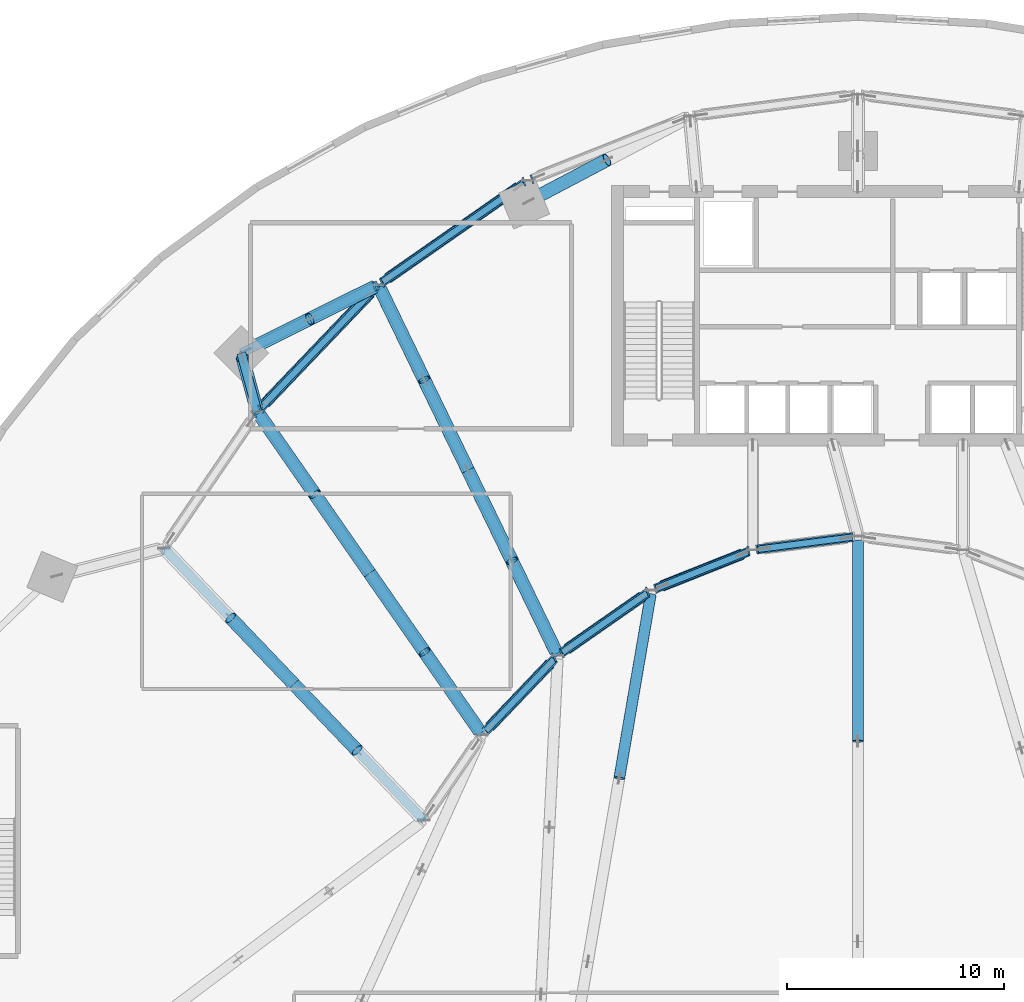
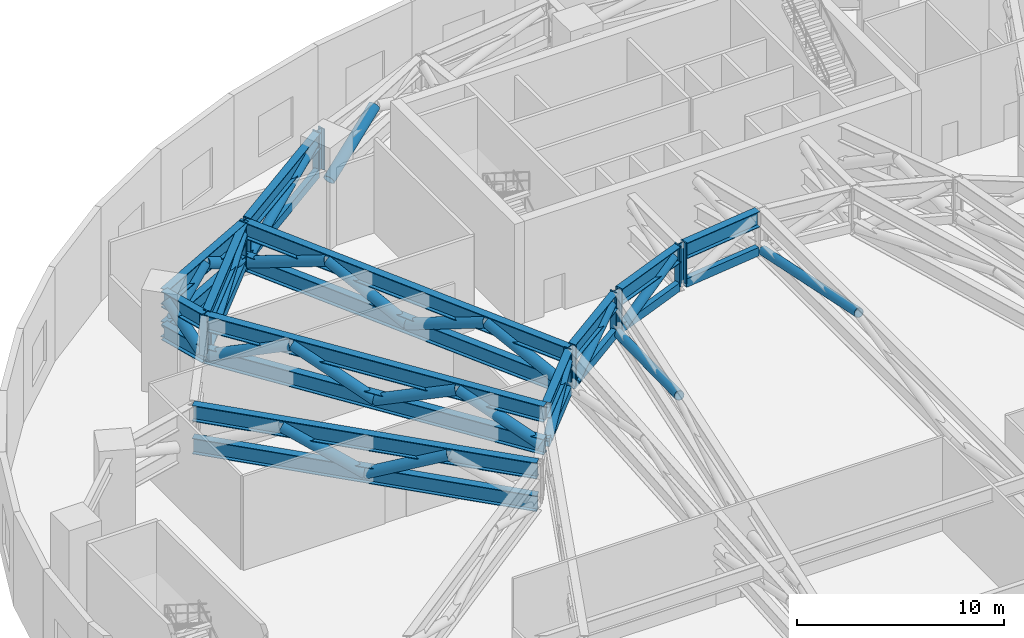
# One storey, part 3 of 19: 33 members, 16 beams.
"""IFC4 building model written with IfcOpenShell, lengths in metres."""

from ifc_helpers import new_model, si_unit, direction, frame, origin, origin_2d, place, context, subcontext, project, spatial, hollow_rectangle, hollow_circle, i_section, extrude, source, transform, mapped, material, material_profile, profile_set, type_object, type_shapes, element, save


model = new_model("IFC4")

# Units and contexts
model_context = context("Model", 3, precision=1e-05, world=origin(), true_north=direction((0.0, 1.0)))
body_context = subcontext(model_context, "Body", "Model", "MODEL_VIEW")
ifc_project = project(units=[si_unit("LENGTHUNIT", "METRE"), si_unit("AREAUNIT", "SQUARE_METRE"), si_unit("VOLUMEUNIT", "CUBIC_METRE"), si_unit("PLANEANGLEUNIT", "RADIAN"), si_unit("MASSUNIT", "GRAM", prefix="KILO")], contexts=[model_context])

# Site, building, storey
site_placement = place(None, origin())
site = spatial("IfcSite", under=ifc_project, at=site_placement, CompositionType="ELEMENT")
building_placement = place(site_placement, origin())
building = spatial("IfcBuilding", under=site, at=building_placement, Name="Breltana Convention Tower", CompositionType="ELEMENT")
storey_placement = place(building_placement, frame((0.0, 0.0, 24.0)))
storey = spatial("IfcBuildingStorey", under=building, at=storey_placement, Name="L04", CompositionType="ELEMENT", Elevation=24.0)

# Members
ifc_material_1 = material(Name="Steel ASTM A992 Grade 50", Category="steel")
ifc_material_profile_1 = material_profile(ifc_material_1, i_section(OverallWidth=0.4208984375, OverallDepth=0.465087890625, WebThickness=0.044921875, FlangeThickness=0.072265625, at=origin_2d()), Name="W14X398")
ifc_profile_set_1 = profile_set([ifc_material_profile_1], Name="Steel ASTM A992 Grade 50")
member_type_1 = type_object("IfcMemberType", Name="MB-TR-POST-W14X398", PredefinedType="POST", material=ifc_profile_set_1)
shared_shape_1 = source(origin(), body_context, "Body", "SweptSolid", [
    extrude(i_section(OverallWidth=0.4208984375, OverallDepth=0.465087890625, WebThickness=0.044921875, FlangeThickness=0.072265625, at=origin_2d()), origin(), (0.0, 0.0, 1.0), 2.406494140625),
])
type_shapes(member_type_1, [shared_shape_1])
for number, where, z_axis, x_axis, name in (
    (1, (20.310791015625, 61.78857421875, 3.1435546875), (0.0, 0.0, 1.0), (-0.571143442153, 0.820850271661, 0.0), "L04 Transfer Truss Vertical R02-OUT"),
    (2, (34.166259765625, 50.544921875, 3.1435546875), (0.0, 0.0, 1.0), (-0.436173672171, 0.899862504889, 0.0), "L04 Transfer Truss Vertical R03-IN"),
    (3, (25.8876953125, 67.626953125, 3.1435546875), (0.0, 0.0, 1.0), (-0.436173672171, 0.899862504889, 0.0), "L04 Transfer Truss Vertical R03-OUT"),
    (4, (38.485107421875, 53.5576171875, 3.1435546875), (0.0, 0.0, 1.0), (-0.288697611798, 0.957420330337, 0.0), "L04 Transfer Truss Vertical R04-IN"),
    (5, (32.791015625, 72.4423828125, 3.1435546875), (0.0, 0.0, 1.0), (-0.288697611798, 0.957420330337, 0.0), "L04 Transfer Truss Vertical R04-OUT"),
    (6, (43.153564453125, 55.41064453125, 3.1435546875), (0.0, 0.0, 1.0), (-0.143492621991, 0.98965138682, 0.0), "L04 Transfer Truss Vertical R05-IN"),
):
    element("IfcMember", number, at=place(storey_placement, frame(where, z_axis=z_axis, x_axis=x_axis)), inside=storey, type_object=member_type_1, Name=name, PredefinedType="POST", context=body_context, shape_type="MappedRepresentation", body=[
        mapped(shared_shape_1, transform((0.0, 0.0, 0.0), scale=1.0)),
    ])

# Beams
ifc_material_profile_2 = material_profile(ifc_material_1, i_section(OverallWidth=0.423095703125, OverallDepth=0.947998046875, WebThickness=0.02392578125, FlangeThickness=0.042724609375, at=origin_2d()), Name="W36X302")
ifc_profile_set_2 = profile_set([ifc_material_profile_2], Name="Steel ASTM A992 Grade 50")
beam_type_1 = type_object("IfcBeamType", Name="BM-TR-W36X302", PredefinedType="USERDEFINED", material=ifc_profile_set_2)
shared_shape_2 = source(origin(), body_context, "Body", "SweptSolid", [
    extrude(i_section(OverallWidth=0.423095703125, OverallDepth=0.947998046875, WebThickness=0.02392578125, FlangeThickness=0.042724609375, at=origin_2d()), origin(), (0.0, 0.0, 1.0), 17.341064453125),
])
beam_1_placement = place(storey_placement, frame((27.984619140625, 42.95458984375, 5.075927734375), z_axis=(-0.690716462293, 0.723125693581, 0.0), x_axis=(-0.723125693581, -0.690716462293, 0.0)))
element("IfcBeam", 7, at=beam_1_placement, inside=storey, type_object=beam_type_1, Name="L04 Transfer Top Chord R01-2", ObjectType="GIRDER", PredefinedType="USERDEFINED", context=body_context, shape_type="MappedRepresentation", body=[
    mapped(shared_shape_2, transform((0.0, 0.0, 0.0), scale=1.0)),
])
ifc_material_profile_3 = material_profile(ifc_material_1, i_section(OverallWidth=0.41796875, OverallDepth=0.927001953125, WebThickness=0.019287109375, FlangeThickness=0.031982421875, at=origin_2d()), Name="W36X231")
ifc_profile_set_3 = profile_set([ifc_material_profile_3], Name="Steel ASTM A992 Grade 50")
beam_type_2 = type_object("IfcBeamType", Name="BM-TR-W36X231", PredefinedType="USERDEFINED", material=ifc_profile_set_3)
shared_shape_3 = source(origin(), body_context, "Body", "SweptSolid", [
    extrude(i_section(OverallWidth=0.41796875, OverallDepth=0.927001953125, WebThickness=0.019287109375, FlangeThickness=0.031982421875, at=origin_2d()), origin(), (0.0, 0.0, 1.0), 17.341064453125),
])
beam_2_placement = place(storey_placement, frame((27.984619140625, 42.95458984375, 3.1435546875), z_axis=(-0.690716462293, 0.723125693581, 0.0), x_axis=(-0.723125693581, -0.690716462293, 0.0)))
element("IfcBeam", 8, at=beam_2_placement, inside=storey, type_object=beam_type_2, Name="L04 Transfer Bottom Chord R01-2", ObjectType="GIRDER", PredefinedType="USERDEFINED", context=body_context, shape_type="MappedRepresentation", body=[
    mapped(shared_shape_3, transform((0.0, 0.0, 0.0), scale=1.0)),
])

# Members
ifc_material_2 = material(Name="Steel EN 10210 S355J2H", Category="steel")
ifc_material_profile_4 = material_profile(ifc_material_2, hollow_circle(Radius=0.304931640625, WallThickness=0.02490234375, at=origin_2d()), Name="CHS610X25")
ifc_profile_set_4 = profile_set([ifc_material_profile_4], Name="Steel EN 10210 S355J2H")
member_type_2 = type_object("IfcMemberType", Name="MB-BR-CHS610X25", PredefinedType="BRACE", material=ifc_profile_set_4)
shared_shape_4 = source(origin(), body_context, "Body", "SweptSolid", [
    extrude(hollow_circle(Radius=0.304931640625, WallThickness=0.02490234375, at=origin_2d()), origin(), (0.0, 0.0, 1.0), 4.646240234375),
])
type_shapes(member_type_2, [shared_shape_4])
member_1_placement = place(storey_placement, frame((24.9140625, 46.169189453125, 5.075927734375), z_axis=(-0.628140326004, 0.657618887397, -0.415905193268), x_axis=(-0.723128566496, -0.690713454566, 0.0)))
element("IfcMember", 9, at=member_1_placement, inside=storey, type_object=member_type_2, Name="L04 Transfer Truss Diagonal R01-2.2", PredefinedType="BRACE", context=body_context, shape_type="MappedRepresentation", body=[
    mapped(shared_shape_4, transform((0.0, 0.0, 0.0), scale=1.0)),
])
shared_shape_5 = source(origin(), body_context, "Body", "SweptSolid", [
    extrude(hollow_circle(Radius=0.304931640625, WallThickness=0.02490234375, at=origin_2d()), origin(), (0.0, 0.0, 1.0), 4.64599609375),
])
member_2_placement = place(storey_placement, frame((21.99560546875, 49.224609375, 3.1435546875), z_axis=(-0.628162031991, 0.657589063772, 0.415919565267), x_axis=(-0.72310099834, -0.690742315339, 0.0)))
element("IfcMember", 10, at=member_2_placement, inside=storey, type_object=member_type_2, Name="L04 Transfer Truss Diagonal R01-2.3", PredefinedType="BRACE", context=body_context, shape_type="MappedRepresentation", body=[
    mapped(shared_shape_5, transform((0.0, 0.0, 0.0), scale=1.0)),
])

# Beams
shared_shape_6 = source(origin(), body_context, "Body", "SweptSolid", [
    extrude(i_section(OverallWidth=0.423095703125, OverallDepth=0.947998046875, WebThickness=0.02392578125, FlangeThickness=0.042724609375, at=origin_2d()), origin(), (0.0, 0.0, 1.0), 18.1484375),
])
beam_3_placement = place(storey_placement, frame((30.67724609375, 46.892333984375, 5.075927734375), z_axis=(-0.571207556098, 0.820805657788, 0.0), x_axis=(-0.820805657788, -0.571207556098, 0.0)))
element("IfcBeam", 11, at=beam_3_placement, inside=storey, type_object=beam_type_1, Name="L04 Transfer Top Chord R02-2", ObjectType="GIRDER", PredefinedType="USERDEFINED", context=body_context, shape_type="MappedRepresentation", body=[
    mapped(shared_shape_6, transform((0.0, 0.0, 0.0), scale=1.0)),
])
shared_shape_7 = source(origin(), body_context, "Body", "SweptSolid", [
    extrude(i_section(OverallWidth=0.41796875, OverallDepth=0.927001953125, WebThickness=0.019287109375, FlangeThickness=0.031982421875, at=origin_2d()), origin(), (0.0, 0.0, 1.0), 18.1484375),
])
beam_4_placement = place(storey_placement, frame((30.67724609375, 46.892333984375, 3.1435546875), z_axis=(-0.571207556098, 0.820805657788, 0.0), x_axis=(-0.820805657788, -0.571207556098, 0.0)))
element("IfcBeam", 12, at=beam_4_placement, inside=storey, type_object=beam_type_2, Name="L04 Transfer Bottom Chord R02-2", ObjectType="GIRDER", PredefinedType="USERDEFINED", context=body_context, shape_type="MappedRepresentation", body=[
    mapped(shared_shape_7, transform((0.0, 0.0, 0.0), scale=1.0)),
])

# Members
shared_shape_8 = source(origin(), body_context, "Body", "SweptSolid", [
    extrude(hollow_circle(Radius=0.304931640625, WallThickness=0.02490234375, at=origin_2d()), origin(), (0.0, 0.0, 1.0), 4.83056640625),
])
for number, where, z_axis, x_axis, name in (
    (13, (30.551513671875, 47.072998046875, 3.1435546875), (-0.523512799634, 0.752265351395, 0.400038985238), (-0.820804028013, -0.571209898022, 0.0), "L04 Transfer Truss Diagonal R02-2.1"),
    (14, (28.022705078125, 50.706787109375, 5.075927734375), (-0.523512799634, 0.752265351395, -0.400038985238), (-0.820804028013, -0.571209898022, 0.0), "L04 Transfer Truss Diagonal R02-2.2"),
):
    element("IfcMember", number, at=place(storey_placement, frame(where, z_axis=z_axis, x_axis=x_axis)), inside=storey, type_object=member_type_2, Name=name, PredefinedType="BRACE", context=body_context, shape_type="MappedRepresentation", body=[
        mapped(shared_shape_8, transform((0.0, 0.0, 0.0), scale=1.0)),
    ])
shared_shape_9 = source(origin(), body_context, "Body", "SweptSolid", [
    extrude(hollow_circle(Radius=0.304931640625, WallThickness=0.02490234375, at=origin_2d()), origin(), (0.0, 0.0, 1.0), 4.830322265625),
])
for number, where, z_axis, x_axis, name in (
    (15, (25.493896484375, 54.340576171875, 3.1435546875), (-0.52347610809, 0.752285255655, 0.400049569908), (-0.82082988361, -0.571172742848, 0.0), "L04 Transfer Truss Diagonal R02-2.3"),
    (16, (22.96533203125, 57.974365234375, 5.075927734375), (-0.523532704531, 0.752243410073, -0.400054195439), (-0.820786033473, -0.571235754533, 0.0), "L04 Transfer Truss Diagonal R02-2.4"),
):
    element("IfcMember", number, at=place(storey_placement, frame(where, z_axis=z_axis, x_axis=x_axis)), inside=storey, type_object=member_type_2, Name=name, PredefinedType="BRACE", context=body_context, shape_type="MappedRepresentation", body=[
        mapped(shared_shape_9, transform((0.0, 0.0, 0.0), scale=1.0)),
    ])

# Beams
shared_shape_10 = source(origin(), body_context, "Body", "SweptSolid", [
    extrude(i_section(OverallWidth=0.423095703125, OverallDepth=0.947998046875, WebThickness=0.02392578125, FlangeThickness=0.042724609375, at=origin_2d()), origin(), (0.0, 0.0, 1.0), 2.79638671875),
])
beam_5_placement = place(storey_placement, frame((20.310791015625, 61.78857421875, 5.075927734375), z_axis=(-0.263412902684, 0.964683182552, 0.0), x_axis=(-0.964683182552, -0.263412902684, 0.0)))
element("IfcBeam", 17, at=beam_5_placement, inside=storey, type_object=beam_type_1, Name="L04 Transfer Top Chord R02-3", ObjectType="GIRDER", PredefinedType="USERDEFINED", context=body_context, shape_type="MappedRepresentation", body=[
    mapped(shared_shape_10, transform((0.0, 0.0, 0.0), scale=1.0)),
])
shared_shape_11 = source(origin(), body_context, "Body", "SweptSolid", [
    extrude(i_section(OverallWidth=0.41796875, OverallDepth=0.927001953125, WebThickness=0.019287109375, FlangeThickness=0.031982421875, at=origin_2d()), origin(), (0.0, 0.0, 1.0), 2.79638671875),
])
beam_6_placement = place(storey_placement, frame((20.310791015625, 61.78857421875, 3.1435546875), z_axis=(-0.263412902684, 0.964683182552, 0.0), x_axis=(-0.964683182552, -0.263412902684, 0.0)))
element("IfcBeam", 18, at=beam_6_placement, inside=storey, type_object=beam_type_2, Name="L04 Transfer Bottom Chord R02-3", ObjectType="GIRDER", PredefinedType="USERDEFINED", context=body_context, shape_type="MappedRepresentation", body=[
    mapped(shared_shape_11, transform((0.0, 0.0, 0.0), scale=1.0)),
])

# Member
shared_shape_12 = source(origin(), body_context, "Body", "SweptSolid", [
    extrude(hollow_circle(Radius=0.304931640625, WallThickness=0.02490234375, at=origin_2d()), origin(), (0.0, 0.0, 1.0), 3.047119140625),
])
member_3_placement = place(storey_placement, frame((20.2529296875, 62.000732421875, 3.1435546875), z_axis=(-0.203663218585, 0.745910529123, 0.63414412868), x_axis=(-0.964687262242, -0.263397961398, 0.0)))
element("IfcMember", 19, at=member_3_placement, inside=storey, type_object=member_type_2, Name="L04 Transfer Truss Diagonal R02-3.1", PredefinedType="BRACE", context=body_context, shape_type="MappedRepresentation", body=[
    mapped(shared_shape_12, transform((0.0, 0.0, 0.0), scale=1.0)),
])

# Beams
shared_shape_13 = source(origin(), body_context, "Body", "SweptSolid", [
    extrude(i_section(OverallWidth=0.423095703125, OverallDepth=0.947998046875, WebThickness=0.02392578125, FlangeThickness=0.042724609375, at=origin_2d()), origin(), (0.0, 0.0, 1.0), 18.982421875),
])
beam_7_placement = place(storey_placement, frame((34.166259765625, 50.544921875, 5.075927734375), z_axis=(-0.436118560343, 0.89988921614, 0.0), x_axis=(-0.89988921614, -0.436118560343, 0.0)))
element("IfcBeam", 20, at=beam_7_placement, inside=storey, type_object=beam_type_1, Name="L04 Transfer Top Chord R03-2", ObjectType="GIRDER", PredefinedType="USERDEFINED", context=body_context, shape_type="MappedRepresentation", body=[
    mapped(shared_shape_13, transform((0.0, 0.0, 0.0), scale=1.0)),
])
shared_shape_14 = source(origin(), body_context, "Body", "SweptSolid", [
    extrude(i_section(OverallWidth=0.41796875, OverallDepth=0.927001953125, WebThickness=0.019287109375, FlangeThickness=0.031982421875, at=origin_2d()), origin(), (0.0, 0.0, 1.0), 18.982421875),
])
beam_8_placement = place(storey_placement, frame((34.166259765625, 50.544921875, 3.1435546875), z_axis=(-0.436118560343, 0.89988921614, 0.0), x_axis=(-0.89988921614, -0.436118560343, 0.0)))
element("IfcBeam", 21, at=beam_8_placement, inside=storey, type_object=beam_type_2, Name="L04 Transfer Bottom Chord R03-2", ObjectType="GIRDER", PredefinedType="USERDEFINED", context=body_context, shape_type="MappedRepresentation", body=[
    mapped(shared_shape_14, transform((0.0, 0.0, 0.0), scale=1.0)),
])

# Members
shared_shape_15 = source(origin(), body_context, "Body", "SweptSolid", [
    extrude(hollow_circle(Radius=0.304931640625, WallThickness=0.02490234375, at=origin_2d()), origin(), (0.0, 0.0, 1.0), 5.0224609375),
])
member_4_placement = place(storey_placement, frame((34.0703125, 50.742919921875, 3.1435546875), z_axis=(-0.402546669871, 0.830614050003, 0.384755089002), x_axis=(-0.899888647485, -0.436119733705, 0.0)))
element("IfcMember", 22, at=member_4_placement, inside=storey, type_object=member_type_2, Name="L04 Transfer Truss Diagonal R03-2.1", PredefinedType="BRACE", context=body_context, shape_type="MappedRepresentation", body=[
    mapped(shared_shape_15, transform((0.0, 0.0, 0.0), scale=1.0)),
])
shared_shape_16 = source(origin(), body_context, "Body", "SweptSolid", [
    extrude(hollow_circle(Radius=0.304931640625, WallThickness=0.02490234375, at=origin_2d()), origin(), (0.0, 0.0, 1.0), 5.022216796875),
])
for number, where, z_axis, x_axis, name in (
    (23, (32.048583984375, 54.91455078125, 5.075927734375), (-0.402562923957, 0.830598975815, -0.384770624697), (-0.899878629848, -0.436140403475, 0.0), "L04 Transfer Truss Diagonal R03-2.2"),
    (24, (30.02685546875, 59.0859375, 3.1435546875), (-0.40250593489, 0.830630303077, 0.384762617712), (-0.899909315854, -0.436077084056, 0.0), "L04 Transfer Truss Diagonal R03-2.3"),
    (25, (28.00537109375, 63.257568359375, 5.075927734375), (-0.402562923957, 0.830598975815, -0.384770624697), (-0.899878629848, -0.436140403475, 0.0), "L04 Transfer Truss Diagonal R03-2.4"),
):
    element("IfcMember", number, at=place(storey_placement, frame(where, z_axis=z_axis, x_axis=x_axis)), inside=storey, type_object=member_type_2, Name=name, PredefinedType="BRACE", context=body_context, shape_type="MappedRepresentation", body=[
        mapped(shared_shape_16, transform((0.0, 0.0, 0.0), scale=1.0)),
    ])

# Beams
shared_shape_17 = source(origin(), body_context, "Body", "SweptSolid", [
    extrude(i_section(OverallWidth=0.423095703125, OverallDepth=0.947998046875, WebThickness=0.02392578125, FlangeThickness=0.042724609375, at=origin_2d()), origin(), (0.0, 0.0, 1.0), 7.051513671875),
])
beam_9_placement = place(storey_placement, frame((25.8876953125, 67.626953125, 5.075927734375), z_axis=(-0.895325551723, -0.445412344274, 0.0), x_axis=(0.445412344274, -0.895325551723, 0.0)))
element("IfcBeam", 26, at=beam_9_placement, inside=storey, type_object=beam_type_1, Name="L04 Transfer Top Chord R03-3", ObjectType="GIRDER", PredefinedType="USERDEFINED", context=body_context, shape_type="MappedRepresentation", body=[
    mapped(shared_shape_17, transform((0.0, 0.0, 0.0), scale=1.0)),
])
shared_shape_18 = source(origin(), body_context, "Body", "SweptSolid", [
    extrude(i_section(OverallWidth=0.41796875, OverallDepth=0.927001953125, WebThickness=0.019287109375, FlangeThickness=0.031982421875, at=origin_2d()), origin(), (0.0, 0.0, 1.0), 7.051513671875),
])
beam_10_placement = place(storey_placement, frame((25.8876953125, 67.626953125, 3.1435546875), z_axis=(-0.895325551723, -0.445412344274, 0.0), x_axis=(0.445412344274, -0.895325551723, 0.0)))
element("IfcBeam", 27, at=beam_10_placement, inside=storey, type_object=beam_type_2, Name="L04 Transfer Bottom Chord R03-3", ObjectType="GIRDER", PredefinedType="USERDEFINED", context=body_context, shape_type="MappedRepresentation", body=[
    mapped(shared_shape_18, transform((0.0, 0.0, 0.0), scale=1.0)),
])

# Members
shared_shape_19 = source(origin(), body_context, "Body", "SweptSolid", [
    extrude(hollow_circle(Radius=0.304931640625, WallThickness=0.02490234375, at=origin_2d()), origin(), (0.0, 0.0, 1.0), 3.8291015625),
])
for number, where, z_axis, x_axis, name in (
    (28, (25.690673828125, 67.529052734375, 3.1435546875), (-0.772935226413, -0.384586759525, 0.504642606373), (0.445469860391, -0.895296935929, 0.0), "L04 Transfer Truss Diagonal R03-3.1"),
    (29, (22.73095703125, 66.056396484375, 5.075927734375), (-0.77295417821, -0.384532429992, -0.504654979835), (0.44541066163, -0.895326388814, 0.0), "L04 Transfer Truss Diagonal R03-3.2"),
):
    element("IfcMember", number, at=place(storey_placement, frame(where, z_axis=z_axis, x_axis=x_axis)), inside=storey, type_object=member_type_2, Name=name, PredefinedType="BRACE", context=body_context, shape_type="MappedRepresentation", body=[
        mapped(shared_shape_19, transform((0.0, 0.0, 0.0), scale=1.0)),
    ])
ifc_material_profile_5 = material_profile(ifc_material_2, hollow_circle(Radius=0.25390625, WallThickness=0.02001953125, at=origin_2d()), Name="CHS508X20")
ifc_profile_set_5 = profile_set([ifc_material_profile_5], Name="Steel EN 10210 S355J2H")
member_type_3 = type_object("IfcMemberType", Name="MB-BR-CHS508X20", PredefinedType="BRACE", material=ifc_profile_set_5)
shared_shape_20 = source(origin(), body_context, "Body", "SweptSolid", [
    extrude(hollow_circle(Radius=0.25390625, WallThickness=0.02001953125, at=origin_2d()), origin(), (0.0, 0.0, 1.0), 8.791015625),
])
member_5_placement = place(storey_placement, frame((36.999267578125, 44.887939453125, 5.075927734375), z_axis=(0.164767429338, 0.96152750817, -0.219810248308), x_axis=(-0.985633495186, 0.168898233167, 0.0)))
element("IfcMember", 30, at=member_5_placement, inside=storey, type_object=member_type_3, Name="L04 Transfer Truss Diagonal R04-1.4", PredefinedType="BRACE", context=body_context, shape_type="MappedRepresentation", body=[
    mapped(shared_shape_20, transform((0.0, 0.0, 0.0), scale=1.0)),
])
shared_shape_21 = source(origin(), body_context, "Body", "SweptSolid", [
    extrude(hollow_circle(Radius=0.304931640625, WallThickness=0.02490234375, at=origin_2d()), origin(), (0.0, 0.0, 1.0), 4.529296875),
])
member_6_placement = place(storey_placement, frame((36.434814453125, 73.391845703125, 5.075927734375), z_axis=(-0.80011287707, -0.42167091332, -0.42662984519), x_axis=(0.466230252504, -0.884663411502, 0.0)))
element("IfcMember", 31, at=member_6_placement, inside=storey, type_object=member_type_2, Name="L04 Transfer Truss Diagonal R05-3.2", PredefinedType="BRACE", context=body_context, shape_type="MappedRepresentation", body=[
    mapped(shared_shape_21, transform((0.0, 0.0, 0.0), scale=1.0)),
])
shared_shape_22 = source(origin(), body_context, "Body", "SweptSolid", [
    extrude(hollow_circle(Radius=0.25390625, WallThickness=0.02001953125, at=origin_2d()), origin(), (0.0, 0.0, 1.0), 9.424072265625),
])
member_7_placement = place(storey_placement, frame((48.0, 46.592041015625, 5.075927734375), z_axis=(0.0, 0.978752433906, -0.205045539143), x_axis=(-1.0, 0.0, 0.0)))
element("IfcMember", 32, at=member_7_placement, inside=storey, type_object=member_type_3, Name="L04 Transfer Truss Diagonal R06-1.4", PredefinedType="BRACE", context=body_context, shape_type="MappedRepresentation", body=[
    mapped(shared_shape_22, transform((0.0, 0.0, 0.0), scale=1.0)),
])

# Beam
shared_shape_23 = source(origin(), body_context, "Body", "SweptSolid", [
    extrude(i_section(OverallWidth=0.41796875, OverallDepth=0.927001953125, WebThickness=0.019287109375, FlangeThickness=0.031982421875, at=origin_2d()), origin(), (0.0, 0.0, 1.0), 4.611328125),
])
beam_11_placement = place(storey_placement, frame((30.8291015625, 47.051513671875, 5.075927734375), z_axis=(0.690719998232, 0.723122316101, 0.0), x_axis=(-0.723122316101, 0.690719998232, 0.0)))
element("IfcBeam", 33, at=beam_11_placement, inside=storey, type_object=beam_type_2, Name="L04 Transfer Ring Top Chord IN-02", ObjectType="GIRDER", PredefinedType="USERDEFINED", context=body_context, shape_type="MappedRepresentation", body=[
    mapped(shared_shape_23, transform((0.0, 0.0, 0.0), scale=1.0)),
])

# Members
ifc_material_profile_6 = material_profile(ifc_material_2, hollow_rectangle(XDim=0.300048828125, YDim=0.5, WallThickness=0.01611328125, at=origin_2d()), Name="RHS500X300X16")
ifc_profile_set_6 = profile_set([ifc_material_profile_6], Name="Steel EN 10210 S355J2H")
member_type_4 = type_object("IfcMemberType", Name="MB-CH-RHS500X300X16", PredefinedType="CHORD", material=ifc_profile_set_6)
shared_shape_24 = source(origin(), body_context, "Body", "SweptSolid", [
    extrude(hollow_rectangle(XDim=0.300048828125, YDim=0.5, WallThickness=0.01611328125, at=origin_2d()), origin(), (0.0, 0.0, 1.0), 4.551025390625),
])
member_8_placement = place(storey_placement, frame((30.849853515625, 47.0732421875, 3.1435546875), z_axis=(0.690720671877, 0.72312167264, 0.0), x_axis=(-0.72312167264, 0.690720671877, 0.0)))
element("IfcMember", 34, at=member_8_placement, inside=storey, type_object=member_type_4, Name="L04 Transfer Ring Bottom Chord IN-02", PredefinedType="CHORD", context=body_context, shape_type="MappedRepresentation", body=[
    mapped(shared_shape_24, transform((0.0, 0.0, 0.0), scale=1.0)),
])
shared_shape_25 = source(origin(), body_context, "Body", "SweptSolid", [
    extrude(hollow_circle(Radius=0.25390625, WallThickness=0.02001953125, at=origin_2d()), origin(), (0.0, 0.0, 1.0), 4.3984375),
])
member_9_placement = place(storey_placement, frame((31.05712890625, 47.2900390625, 3.1435546875), z_axis=(0.620502831248, 0.64958803418, 0.439330880162), x_axis=(-0.723110014659, 0.690732876516, 0.0)))
element("IfcMember", 35, at=member_9_placement, inside=storey, type_object=member_type_3, Name="L04 Transfer Belt Brace IN-02", PredefinedType="BRACE", context=body_context, shape_type="MappedRepresentation", body=[
    mapped(shared_shape_25, transform((0.0, 0.0, 0.0), scale=1.0)),
])

# Beam
shared_shape_26 = source(origin(), body_context, "Body", "SweptSolid", [
    extrude(i_section(OverallWidth=0.41796875, OverallDepth=0.927001953125, WebThickness=0.019287109375, FlangeThickness=0.031982421875, at=origin_2d()), origin(), (0.0, 0.0, 1.0), 7.6337890625),
])
beam_12_placement = place(storey_placement, frame((20.462890625, 61.94775390625, 5.075927734375), z_axis=(0.69070618646, 0.72313550873, 0.0), x_axis=(-0.72313550873, 0.69070618646, 0.0)))
element("IfcBeam", 36, at=beam_12_placement, inside=storey, type_object=beam_type_2, Name="L04 Transfer Ring Top Chord OUT-02", ObjectType="GIRDER", PredefinedType="USERDEFINED", context=body_context, shape_type="MappedRepresentation", body=[
    mapped(shared_shape_26, transform((0.0, 0.0, 0.0), scale=1.0)),
])

# Members
shared_shape_27 = source(origin(), body_context, "Body", "SweptSolid", [
    extrude(hollow_rectangle(XDim=0.300048828125, YDim=0.5, WallThickness=0.01611328125, at=origin_2d()), origin(), (0.0, 0.0, 1.0), 7.573974609375),
])
member_10_placement = place(storey_placement, frame((20.483642578125, 61.969482421875, 3.1435546875), z_axis=(0.690723337765, 0.723119126194, 0.0), x_axis=(-0.723119126194, 0.690723337765, 0.0)))
element("IfcMember", 37, at=member_10_placement, inside=storey, type_object=member_type_4, Name="L04 Transfer Ring Bottom Chord OUT-02", PredefinedType="CHORD", context=body_context, shape_type="MappedRepresentation", body=[
    mapped(shared_shape_27, transform((0.0, 0.0, 0.0), scale=1.0)),
])
shared_shape_28 = source(origin(), body_context, "Body", "SweptSolid", [
    extrude(hollow_circle(Radius=0.25390625, WallThickness=0.02001953125, at=origin_2d()), origin(), (0.0, 0.0, 1.0), 7.236572265625),
])
member_11_placement = place(storey_placement, frame((20.69091796875, 62.186279296875, 3.1435546875), z_axis=(0.665631465181, 0.696871948544, 0.267028537603), x_axis=(-0.723129787631, 0.690712176121, 0.0)))
element("IfcMember", 38, at=member_11_placement, inside=storey, type_object=member_type_3, Name="L04 Transfer Belt Brace OUT-02", PredefinedType="BRACE", context=body_context, shape_type="MappedRepresentation", body=[
    mapped(shared_shape_28, transform((0.0, 0.0, 0.0), scale=1.0)),
])

# Beam
shared_shape_29 = source(origin(), body_context, "Body", "SweptSolid", [
    extrude(i_section(OverallWidth=0.41796875, OverallDepth=0.927001953125, WebThickness=0.019287109375, FlangeThickness=0.031982421875, at=origin_2d()), origin(), (0.0, 0.0, 1.0), 4.82568359375),
])
beam_13_placement = place(storey_placement, frame((34.3466796875, 50.6708984375, 5.075927734375), z_axis=(0.820190993821, 0.572089795098, 0.0), x_axis=(-0.572089795098, 0.820190993821, 0.0)))
element("IfcBeam", 39, at=beam_13_placement, inside=storey, type_object=beam_type_2, Name="L04 Transfer Ring Top Chord IN-03", ObjectType="GIRDER", PredefinedType="USERDEFINED", context=body_context, shape_type="MappedRepresentation", body=[
    mapped(shared_shape_29, transform((0.0, 0.0, 0.0), scale=1.0)),
])

# Members
shared_shape_30 = source(origin(), body_context, "Body", "SweptSolid", [
    extrude(hollow_rectangle(XDim=0.300048828125, YDim=0.5, WallThickness=0.01611328125, at=origin_2d()), origin(), (0.0, 0.0, 1.0), 4.765869140625),
])
member_12_placement = place(storey_placement, frame((34.37109375, 50.68798828125, 3.1435546875), z_axis=(0.82018620782, 0.572096656607, 0.0), x_axis=(-0.572096656607, 0.82018620782, 0.0)))
element("IfcMember", 40, at=member_12_placement, inside=storey, type_object=member_type_4, Name="L04 Transfer Ring Bottom Chord IN-03", PredefinedType="CHORD", context=body_context, shape_type="MappedRepresentation", body=[
    mapped(shared_shape_30, transform((0.0, 0.0, 0.0), scale=1.0)),
])
shared_shape_31 = source(origin(), body_context, "Body", "SweptSolid", [
    extrude(hollow_circle(Radius=0.25390625, WallThickness=0.02001953125, at=origin_2d()), origin(), (0.0, 0.0, 1.0), 4.59228515625),
])
member_13_placement = place(storey_placement, frame((34.6171875, 50.859619140625, 3.1435546875), z_axis=(0.744031972729, 0.518988218491, 0.420794073894), x_axis=(-0.57210459015, 0.820180673955, 0.0)))
element("IfcMember", 41, at=member_13_placement, inside=storey, type_object=member_type_3, Name="L04 Transfer Belt Brace IN-03", PredefinedType="BRACE", context=body_context, shape_type="MappedRepresentation", body=[
    mapped(shared_shape_31, transform((0.0, 0.0, 0.0), scale=1.0)),
])

# Beam
shared_shape_32 = source(origin(), body_context, "Body", "SweptSolid", [
    extrude(i_section(OverallWidth=0.41796875, OverallDepth=0.927001953125, WebThickness=0.019287109375, FlangeThickness=0.031982421875, at=origin_2d()), origin(), (0.0, 0.0, 1.0), 7.97705078125),
])
beam_14_placement = place(storey_placement, frame((26.068115234375, 67.7529296875, 5.075927734375), z_axis=(0.820174045923, 0.572114092113, 0.0), x_axis=(-0.572114092113, 0.820174045923, 0.0)))
element("IfcBeam", 42, at=beam_14_placement, inside=storey, type_object=beam_type_2, Name="L04 Transfer Ring Top Chord OUT-03", ObjectType="GIRDER", PredefinedType="USERDEFINED", context=body_context, shape_type="MappedRepresentation", body=[
    mapped(shared_shape_32, transform((0.0, 0.0, 0.0), scale=1.0)),
])

# Members
shared_shape_33 = source(origin(), body_context, "Body", "SweptSolid", [
    extrude(hollow_rectangle(XDim=0.300048828125, YDim=0.5, WallThickness=0.01611328125, at=origin_2d()), origin(), (0.0, 0.0, 1.0), 7.9169921875),
])
member_14_placement = place(storey_placement, frame((26.0927734375, 67.77001953125, 3.1435546875), z_axis=(0.820160942814, 0.572132876072, 0.0), x_axis=(-0.572132876072, 0.820160942814, 0.0)))
element("IfcMember", 43, at=member_14_placement, inside=storey, type_object=member_type_4, Name="L04 Transfer Ring Bottom Chord OUT-03", PredefinedType="CHORD", context=body_context, shape_type="MappedRepresentation", body=[
    mapped(shared_shape_33, transform((0.0, 0.0, 0.0), scale=1.0)),
])
shared_shape_34 = source(origin(), body_context, "Body", "SweptSolid", [
    extrude(hollow_circle(Radius=0.25390625, WallThickness=0.02001953125, at=origin_2d()), origin(), (0.0, 0.0, 1.0), 7.567626953125),
])
member_15_placement = place(storey_placement, frame((26.3388671875, 67.941650390625, 3.1435546875), z_axis=(0.792982057175, 0.553151763723, 0.255347965115), x_axis=(-0.572117918226, 0.820171376997, 0.0)))
element("IfcMember", 44, at=member_15_placement, inside=storey, type_object=member_type_3, Name="L04 Transfer Belt Brace OUT-03", PredefinedType="BRACE", context=body_context, shape_type="MappedRepresentation", body=[
    mapped(shared_shape_34, transform((0.0, 0.0, 0.0), scale=1.0)),
])

# Beam
shared_shape_35 = source(origin(), body_context, "Body", "SweptSolid", [
    extrude(i_section(OverallWidth=0.41796875, OverallDepth=0.927001953125, WebThickness=0.019287109375, FlangeThickness=0.031982421875, at=origin_2d()), origin(), (0.0, 0.0, 1.0), 4.582763671875),
])
beam_15_placement = place(storey_placement, frame((38.689453125, 53.638916015625, 5.075927734375), z_axis=(0.929461717528, 0.368918575909, 0.0), x_axis=(-0.368918575909, 0.929461717528, 0.0)))
element("IfcBeam", 45, at=beam_15_placement, inside=storey, type_object=beam_type_2, Name="L04 Transfer Ring Top Chord IN-04", ObjectType="GIRDER", PredefinedType="USERDEFINED", context=body_context, shape_type="MappedRepresentation", body=[
    mapped(shared_shape_35, transform((0.0, 0.0, 0.0), scale=1.0)),
])

# Members
shared_shape_36 = source(origin(), body_context, "Body", "SweptSolid", [
    extrude(hollow_rectangle(XDim=0.300048828125, YDim=0.5, WallThickness=0.01611328125, at=origin_2d()), origin(), (0.0, 0.0, 1.0), 4.52294921875),
])
member_16_placement = place(storey_placement, frame((38.71728515625, 53.64990234375, 3.1435546875), z_axis=(0.92945251953, 0.368941748707, 0.0), x_axis=(-0.368941748707, 0.92945251953, 0.0)))
element("IfcMember", 46, at=member_16_placement, inside=storey, type_object=member_type_4, Name="L04 Transfer Ring Bottom Chord IN-04", PredefinedType="CHORD", context=body_context, shape_type="MappedRepresentation", body=[
    mapped(shared_shape_36, transform((0.0, 0.0, 0.0), scale=1.0)),
])
shared_shape_37 = source(origin(), body_context, "Body", "SweptSolid", [
    extrude(hollow_circle(Radius=0.25390625, WallThickness=0.02001953125, at=origin_2d()), origin(), (0.0, 0.0, 1.0), 4.373046875),
])
member_17_placement = place(storey_placement, frame((38.99609375, 53.760498046875, 3.1435546875), z_axis=(0.833794815549, 0.330949827022, 0.441880546707), x_axis=(-0.368921475637, 0.929460566573, 0.0)))
element("IfcMember", 47, at=member_17_placement, inside=storey, type_object=member_type_3, Name="L04 Transfer Belt Brace IN-04", PredefinedType="BRACE", context=body_context, shape_type="MappedRepresentation", body=[
    mapped(shared_shape_37, transform((0.0, 0.0, 0.0), scale=1.0)),
])

# Beam
shared_shape_38 = source(origin(), body_context, "Body", "SweptSolid", [
    extrude(i_section(OverallWidth=0.41796875, OverallDepth=0.927001953125, WebThickness=0.019287109375, FlangeThickness=0.031982421875, at=origin_2d()), origin(), (0.0, 0.0, 1.0), 4.44677734375),
])
beam_16_placement = place(storey_placement, frame((43.37158203125, 55.43896484375, 5.075927734375), z_axis=(0.991783710025, 0.1279260432, 0.0), x_axis=(-0.1279260432, 0.991783710025, 0.0)))
element("IfcBeam", 48, at=beam_16_placement, inside=storey, type_object=beam_type_2, Name="L04 Transfer Ring Top Chord IN-05", ObjectType="GIRDER", PredefinedType="USERDEFINED", context=body_context, shape_type="MappedRepresentation", body=[
    mapped(shared_shape_38, transform((0.0, 0.0, 0.0), scale=1.0)),
])

# Member
shared_shape_39 = source(origin(), body_context, "Body", "SweptSolid", [
    extrude(hollow_rectangle(XDim=0.300048828125, YDim=0.5, WallThickness=0.01611328125, at=origin_2d()), origin(), (0.0, 0.0, 1.0), 4.386962890625),
])
member_18_placement = place(storey_placement, frame((43.4013671875, 55.442626953125, 3.1435546875), z_axis=(0.991781284032, 0.127944850008, 0.0), x_axis=(-0.127944850008, 0.991781284032, 0.0)))
element("IfcMember", 49, at=member_18_placement, inside=storey, type_object=member_type_4, Name="L04 Transfer Ring Bottom Chord IN-05", PredefinedType="CHORD", context=body_context, shape_type="MappedRepresentation", body=[
    mapped(shared_shape_39, transform((0.0, 0.0, 0.0), scale=1.0)),
])

save(model, "model.ifc")
